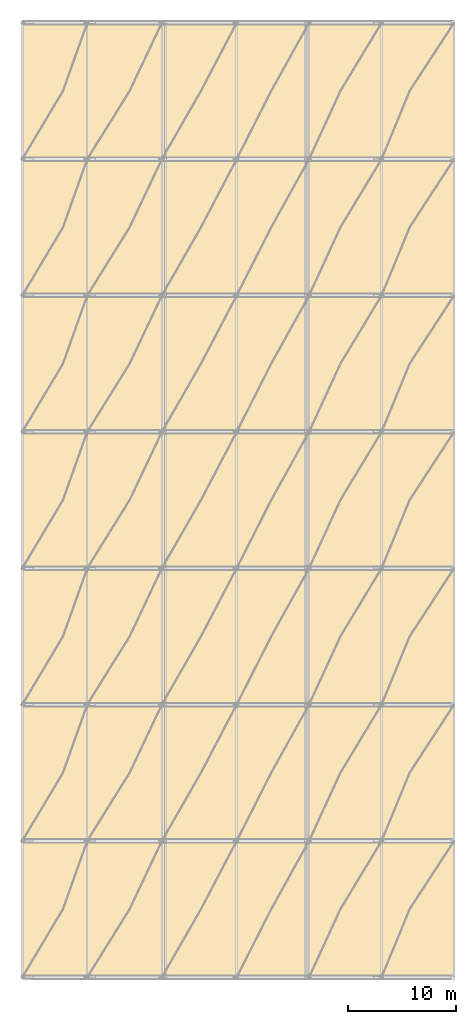
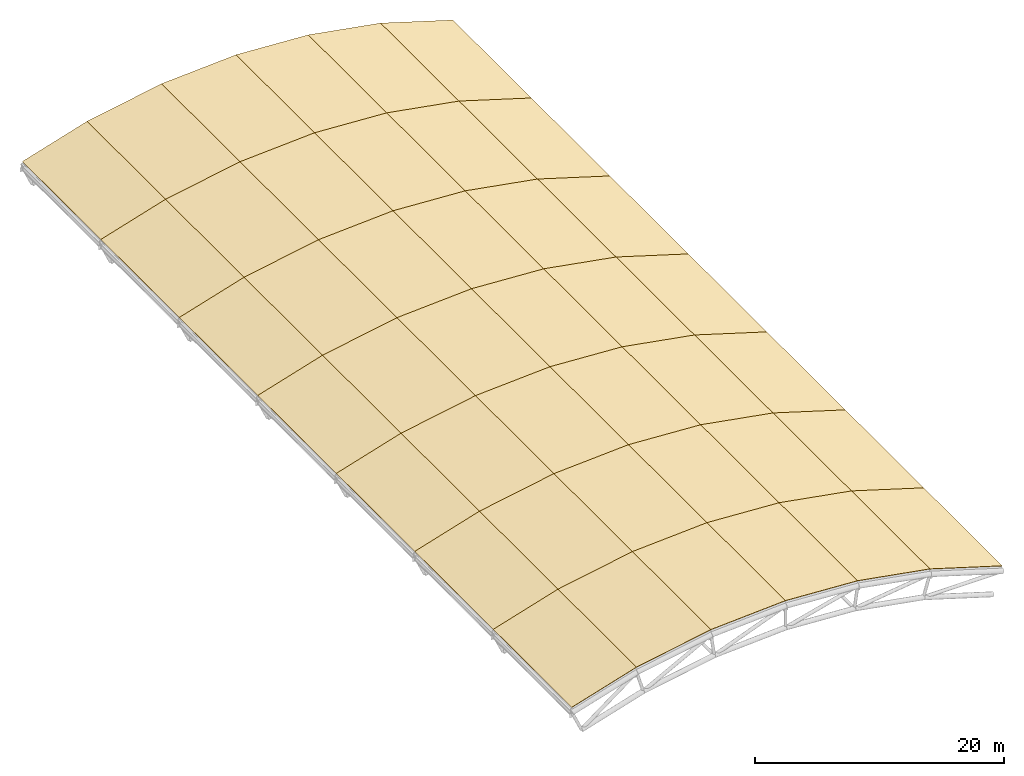
# One storey, part 18 of 18: 42 coverings, 1 element without a shape of its own.
"""IFC4 building model written with IfcOpenShell, lengths in metres."""

from ifc_helpers import new_model, si_unit, derived_unit, direction, frame, origin, place, context, subcontext, project, spatial, polyline, outline, extrude, material, layer, layer_set, type_object, element, aggregate, save


model = new_model("IFC4")

# Units and contexts
model_context = context("Model", 3, precision=1e-05, world=origin(), true_north=direction((0.0, 1.0)))
body_context = subcontext(model_context, "Body", "Model", "MODEL_VIEW")
ifc_project = project(units=[si_unit("LENGTHUNIT", "METRE"), si_unit("AREAUNIT", "SQUARE_METRE"), si_unit("VOLUMEUNIT", "CUBIC_METRE"), si_unit("PLANEANGLEUNIT", "RADIAN"), si_unit("MASSUNIT", "GRAM", prefix="KILO"), derived_unit("THERMALTRANSMITTANCEUNIT", [(si_unit("MASSUNIT", "GRAM", prefix="KILO"), 1), (si_unit("TIMEUNIT", "SECOND"), -3), (si_unit("THERMODYNAMICTEMPERATUREUNIT", "KELVIN"), -1)])], contexts=[model_context])

# Site, building, storey
site_placement = place(None, origin())
site = spatial("IfcSite", under=ifc_project, at=site_placement, CompositionType="ELEMENT")
building_placement = place(site_placement, origin())
building = spatial("IfcBuilding", under=site, at=building_placement, Name="Valcora Ridge Arena", CompositionType="ELEMENT")
storey_placement = place(building_placement, frame((0.0, 0.0, 39.800048828125)))
storey = spatial("IfcBuildingStorey", under=building, at=storey_placement, Name="RF", CompositionType="ELEMENT", Elevation=39.800048828125)

# Roof, coverings
ifc_material = material(Name="Weathered zinc-bronze standing-seam metal Grade Z275")
roof_type = type_object("IfcRoofType", Name="TY-ROOF-ROOF-SYS-V1", PredefinedType="BARREL_ROOF", material=ifc_material)
roof_placement = place(storey_placement, origin())
roof = element("IfcRoof", 1, at=roof_placement, inside=storey, type_object=roof_type, Name="Space Frame Barrel Roof ROOF-SYS-V1", PredefinedType="BARREL_ROOF")
ifc_layer = layer(ifc_material, 0.0400390625, Name="Weathered zinc-bronze standing-seam metal Grade Z275")
ifc_layer_set = layer_set([ifc_layer], Name="Weathered zinc-bronze standing-seam metal Grade Z275")
covering_type = type_object("IfcCoveringType", Name="TY-COVERING-COV-ZINC-ARC", PredefinedType="ROOFING", material=ifc_layer_set)
covering_1_placement = place(storey_placement, frame((36.0, 20.0, -1.880126953125), z_axis=(-0.292775980586, 0.0, 0.956181062975), x_axis=(0.956181062975, 0.0, 0.292775980586)))
covering_1 = element("IfcCovering", 2, at=covering_1_placement, type_object=covering_type, Name="COV-ZINC-ARC COV-RF-0003", PredefinedType="ROOFING", context=body_context, shape_type="SweptSolid", body=[
    extrude(outline(polyline([(0.0, 0.0), (6.274962172261239, 0.0), (6.274962172261239, 12.60009765625), (0.0, 12.60009765625), (0.0, 0.0)])), origin(), (0.0, 0.0, -1.0), 0.0400390625),
])
covering_2_placement = place(storey_placement, frame((42.0, 20.0, -0.04296875), z_axis=(-0.180517541089, 0.0, 0.983571765231), x_axis=(0.983571765231, 0.0, 0.180517541089)))
covering_2 = element("IfcCovering", 3, at=covering_2_placement, type_object=covering_type, Name="COV-ZINC-ARC COV-RF-0004", PredefinedType="ROOFING", context=body_context, shape_type="SweptSolid", body=[
    extrude(outline(polyline([(0.0, 0.0), (7.015148856098824, 0.0), (7.015148856098824, 12.60009765625), (0.0, 12.60009765625), (0.0, 0.0)])), origin(), (0.0, 0.0, -1.0), 0.0400390625),
])
covering_3_placement = place(storey_placement, frame((48.89990234375, 20.0, 1.223388671875), z_axis=(-0.060164976346, 0.0, 0.998188446948), x_axis=(0.998188446948, 0.0, 0.060164976346)))
covering_3 = element("IfcCovering", 4, at=covering_3_placement, type_object=covering_type, Name="COV-ZINC-ARC COV-RF-0005", PredefinedType="ROOFING", context=body_context, shape_type="SweptSolid", body=[
    extrude(outline(polyline([(0.0, 0.0), (6.92269708302592, 0.0), (6.92269708302592, 12.600097656250004), (0.0, 12.600097656250004), (0.0, 0.0)])), origin(), (0.0, 0.0, -1.0), 0.0400390625),
])
covering_4_placement = place(storey_placement, frame((55.81005859375, 20.0, 1.639892578125), z_axis=(0.058290615662, 0.0, 0.998299656479), x_axis=(0.998299656479, 0.0, -0.058290615662)))
covering_4 = element("IfcCovering", 5, at=covering_4_placement, type_object=covering_type, Name="COV-ZINC-ARC COV-RF-0006", PredefinedType="ROOFING", context=body_context, shape_type="SweptSolid", body=[
    extrude(outline(polyline([(0.0, 0.0), (6.701335979465828, 0.0), (6.701335979465828, 12.60009765625), (0.0, 12.60009765625), (0.0, 0.0)])), origin(), (0.0, 0.0, -1.0), 0.0400390625),
])
covering_5_placement = place(storey_placement, frame((62.5, 20.0, 1.249267578125), z_axis=(0.174902721284, 0.0, 0.984585719015), x_axis=(0.984585719015, 0.0, -0.174902721284)))
covering_5 = element("IfcCovering", 6, at=covering_5_placement, type_object=covering_type, Name="COV-ZINC-ARC COV-RF-0007", PredefinedType="ROOFING", context=body_context, shape_type="SweptSolid", body=[
    extrude(outline(polyline([(0.0, 0.0), (6.804842932904428, 0.0), (6.804842932904428, 12.600097656250004), (0.0, 12.600097656250004), (0.0, 0.0)])), origin(), (0.0, 0.0, -1.0), 0.0400390625),
])
covering_6_placement = place(storey_placement, frame((69.199951171875, 20.0, 0.05908203125), z_axis=(0.29169692979, 0.0, 0.956510795104), x_axis=(0.956510795104, 0.0, -0.29169692979)))
covering_6 = element("IfcCovering", 7, at=covering_6_placement, type_object=covering_type, Name="COV-ZINC-ARC COV-RF-0008", PredefinedType="ROOFING", context=body_context, shape_type="SweptSolid", body=[
    extrude(outline(polyline([(0.0, 0.0), (7.004574549672903, 0.0), (7.004574549672903, 12.60009765625), (0.0, 12.60009765625), (0.0, 0.0)])), origin(), (0.0, 0.0, -1.0), 0.0400390625),
])
covering_7_placement = place(storey_placement, frame((36.0, 32.60009765625, -1.880126953125), z_axis=(-0.292775980586, 0.0, 0.956181062975), x_axis=(0.956181062975, 0.0, 0.292775980586)))
covering_7 = element("IfcCovering", 8, at=covering_7_placement, type_object=covering_type, Name="COV-ZINC-ARC COV-RF-0017", PredefinedType="ROOFING", context=body_context, shape_type="SweptSolid", body=[
    extrude(outline(polyline([(0.0, 0.0), (6.274962172261239, 0.0), (6.274962172261239, 12.599853515625), (0.0, 12.599853515625), (0.0, 0.0)])), origin(), (0.0, 0.0, -1.0), 0.0400390625),
])
covering_8_placement = place(storey_placement, frame((42.0, 32.60009765625, -0.04296875), z_axis=(-0.180517541089, 0.0, 0.983571765231), x_axis=(0.983571765231, 0.0, 0.180517541089)))
covering_8 = element("IfcCovering", 9, at=covering_8_placement, type_object=covering_type, Name="COV-ZINC-ARC COV-RF-0018", PredefinedType="ROOFING", context=body_context, shape_type="SweptSolid", body=[
    extrude(outline(polyline([(0.0, 0.0), (7.015148856098824, 0.0), (7.015148856098824, 12.599853515625004), (0.0, 12.599853515625004), (0.0, 0.0)])), origin(), (0.0, 0.0, -1.0), 0.0400390625),
])
covering_9_placement = place(storey_placement, frame((48.89990234375, 32.60009765625, 1.223388671875), z_axis=(-0.060164976346, 0.0, 0.998188446948), x_axis=(0.998188446948, 0.0, 0.060164976346)))
covering_9 = element("IfcCovering", 10, at=covering_9_placement, type_object=covering_type, Name="COV-ZINC-ARC COV-RF-0019", PredefinedType="ROOFING", context=body_context, shape_type="SweptSolid", body=[
    extrude(outline(polyline([(0.0, 0.0), (6.92269708302592, 0.0), (6.92269708302592, 12.599853515625), (0.0, 12.599853515625), (0.0, 0.0)])), origin(), (0.0, 0.0, -1.0), 0.0400390625),
])
covering_10_placement = place(storey_placement, frame((55.81005859375, 32.60009765625, 1.639892578125), z_axis=(0.058290615662, 0.0, 0.998299656479), x_axis=(0.998299656479, 0.0, -0.058290615662)))
covering_10 = element("IfcCovering", 11, at=covering_10_placement, type_object=covering_type, Name="COV-ZINC-ARC COV-RF-0020", PredefinedType="ROOFING", context=body_context, shape_type="SweptSolid", body=[
    extrude(outline(polyline([(0.0, 0.0), (6.701335979465828, 0.0), (6.701335979465828, 12.599853515624998), (0.0, 12.599853515624998), (0.0, 0.0)])), origin(), (0.0, 0.0, -1.0), 0.0400390625),
])
covering_11_placement = place(storey_placement, frame((62.5, 32.60009765625, 1.249267578125), z_axis=(0.174902721284, 0.0, 0.984585719015), x_axis=(0.984585719015, 0.0, -0.174902721284)))
covering_11 = element("IfcCovering", 12, at=covering_11_placement, type_object=covering_type, Name="COV-ZINC-ARC COV-RF-0021", PredefinedType="ROOFING", context=body_context, shape_type="SweptSolid", body=[
    extrude(outline(polyline([(0.0, 0.0), (6.804842932904428, 0.0), (6.804842932904428, 12.599853515625004), (0.0, 12.599853515625004), (0.0, 0.0)])), origin(), (0.0, 0.0, -1.0), 0.0400390625),
])
covering_12_placement = place(storey_placement, frame((69.199951171875, 32.60009765625, 0.05908203125), z_axis=(0.29169692979, 0.0, 0.956510795104), x_axis=(0.956510795104, 0.0, -0.29169692979)))
covering_12 = element("IfcCovering", 13, at=covering_12_placement, type_object=covering_type, Name="COV-ZINC-ARC COV-RF-0022", PredefinedType="ROOFING", context=body_context, shape_type="SweptSolid", body=[
    extrude(outline(polyline([(0.0, 0.0), (7.004574549672903, 0.0), (7.004574549672903, 12.599853515625), (0.0, 12.599853515625), (0.0, 0.0)])), origin(), (0.0, 0.0, -1.0), 0.0400390625),
])
covering_13_placement = place(storey_placement, frame((36.0, 45.199951171875, -1.880126953125), z_axis=(-0.292775980586, 0.0, 0.956181062975), x_axis=(0.956181062975, 0.0, 0.292775980586)))
covering_13 = element("IfcCovering", 14, at=covering_13_placement, type_object=covering_type, Name="COV-ZINC-ARC COV-RF-0031", PredefinedType="ROOFING", context=body_context, shape_type="SweptSolid", body=[
    extrude(outline(polyline([(0.0, 0.0), (6.274962172261239, 0.0), (6.274962172261239, 12.60009765625), (0.0, 12.60009765625), (0.0, 0.0)])), origin(), (0.0, 0.0, -1.0), 0.0400390625),
])
covering_14_placement = place(storey_placement, frame((42.0, 45.199951171875, -0.04296875), z_axis=(-0.180517541089, 0.0, 0.983571765231), x_axis=(0.983571765231, 0.0, 0.180517541089)))
covering_14 = element("IfcCovering", 15, at=covering_14_placement, type_object=covering_type, Name="COV-ZINC-ARC COV-RF-0032", PredefinedType="ROOFING", context=body_context, shape_type="SweptSolid", body=[
    extrude(outline(polyline([(0.0, 0.0), (7.015148856098824, 0.0), (7.015148856098824, 12.60009765625), (0.0, 12.60009765625), (0.0, 0.0)])), origin(), (0.0, 0.0, -1.0), 0.0400390625),
])
covering_15_placement = place(storey_placement, frame((48.89990234375, 45.199951171875, 1.223388671875), z_axis=(-0.060164976346, 0.0, 0.998188446948), x_axis=(0.998188446948, 0.0, 0.060164976346)))
covering_15 = element("IfcCovering", 16, at=covering_15_placement, type_object=covering_type, Name="COV-ZINC-ARC COV-RF-0033", PredefinedType="ROOFING", context=body_context, shape_type="SweptSolid", body=[
    extrude(outline(polyline([(0.0, 0.0), (6.92269708302592, 0.0), (6.92269708302592, 12.600097656250004), (0.0, 12.600097656250004), (0.0, 0.0)])), origin(), (0.0, 0.0, -1.0), 0.0400390625),
])
covering_16_placement = place(storey_placement, frame((55.81005859375, 45.199951171875, 1.639892578125), z_axis=(0.058290615662, 0.0, 0.998299656479), x_axis=(0.998299656479, 0.0, -0.058290615662)))
covering_16 = element("IfcCovering", 17, at=covering_16_placement, type_object=covering_type, Name="COV-ZINC-ARC COV-RF-0034", PredefinedType="ROOFING", context=body_context, shape_type="SweptSolid", body=[
    extrude(outline(polyline([(0.0, 0.0), (6.701335979465828, 0.0), (6.701335979465828, 12.60009765625), (0.0, 12.60009765625), (0.0, 0.0)])), origin(), (0.0, 0.0, -1.0), 0.0400390625),
])
covering_17_placement = place(storey_placement, frame((62.5, 45.199951171875, 1.249267578125), z_axis=(0.174902721284, 0.0, 0.984585719015), x_axis=(0.984585719015, 0.0, -0.174902721284)))
covering_17 = element("IfcCovering", 18, at=covering_17_placement, type_object=covering_type, Name="COV-ZINC-ARC COV-RF-0035", PredefinedType="ROOFING", context=body_context, shape_type="SweptSolid", body=[
    extrude(outline(polyline([(0.0, 0.0), (6.804842932904428, 0.0), (6.804842932904428, 12.600097656250004), (0.0, 12.600097656250004), (0.0, 0.0)])), origin(), (0.0, 0.0, -1.0), 0.0400390625),
])
covering_18_placement = place(storey_placement, frame((69.199951171875, 45.199951171875, 0.05908203125), z_axis=(0.29169692979, 0.0, 0.956510795104), x_axis=(0.956510795104, 0.0, -0.29169692979)))
covering_18 = element("IfcCovering", 19, at=covering_18_placement, type_object=covering_type, Name="COV-ZINC-ARC COV-RF-0036", PredefinedType="ROOFING", context=body_context, shape_type="SweptSolid", body=[
    extrude(outline(polyline([(0.0, 0.0), (7.004574549672903, 0.0), (7.004574549672903, 12.60009765625), (0.0, 12.60009765625), (0.0, 0.0)])), origin(), (0.0, 0.0, -1.0), 0.0400390625),
])
covering_19_placement = place(storey_placement, frame((36.0, 57.800048828125, -1.880126953125), z_axis=(-0.292775980586, 0.0, 0.956181062975), x_axis=(0.956181062975, 0.0, 0.292775980586)))
covering_19 = element("IfcCovering", 20, at=covering_19_placement, type_object=covering_type, Name="COV-ZINC-ARC COV-RF-0045", PredefinedType="ROOFING", context=body_context, shape_type="SweptSolid", body=[
    extrude(outline(polyline([(0.0, 0.0), (6.274962172261239, 0.0), (6.274962172261239, 12.599853515625), (0.0, 12.599853515625), (0.0, 0.0)])), origin(), (0.0, 0.0, -1.0), 0.0400390625),
])
covering_20_placement = place(storey_placement, frame((42.0, 57.800048828125, -0.04296875), z_axis=(-0.180517541089, 0.0, 0.983571765231), x_axis=(0.983571765231, 0.0, 0.180517541089)))
covering_20 = element("IfcCovering", 21, at=covering_20_placement, type_object=covering_type, Name="COV-ZINC-ARC COV-RF-0046", PredefinedType="ROOFING", context=body_context, shape_type="SweptSolid", body=[
    extrude(outline(polyline([(0.0, 0.0), (7.015148856098824, 0.0), (7.015148856098824, 12.599853515625004), (0.0, 12.599853515625004), (0.0, 0.0)])), origin(), (0.0, 0.0, -1.0), 0.0400390625),
])
covering_21_placement = place(storey_placement, frame((48.89990234375, 57.800048828125, 1.223388671875), z_axis=(-0.060164976346, 0.0, 0.998188446948), x_axis=(0.998188446948, 0.0, 0.060164976346)))
covering_21 = element("IfcCovering", 22, at=covering_21_placement, type_object=covering_type, Name="COV-ZINC-ARC COV-RF-0047", PredefinedType="ROOFING", context=body_context, shape_type="SweptSolid", body=[
    extrude(outline(polyline([(0.0, 0.0), (6.92269708302592, 0.0), (6.92269708302592, 12.599853515625), (0.0, 12.599853515625), (0.0, 0.0)])), origin(), (0.0, 0.0, -1.0), 0.0400390625),
])
covering_22_placement = place(storey_placement, frame((55.81005859375, 57.800048828125, 1.639892578125), z_axis=(0.058290615662, 0.0, 0.998299656479), x_axis=(0.998299656479, 0.0, -0.058290615662)))
covering_22 = element("IfcCovering", 23, at=covering_22_placement, type_object=covering_type, Name="COV-ZINC-ARC COV-RF-0048", PredefinedType="ROOFING", context=body_context, shape_type="SweptSolid", body=[
    extrude(outline(polyline([(0.0, 0.0), (6.701335979465828, 0.0), (6.701335979465828, 12.599853515624998), (0.0, 12.599853515624998), (0.0, 0.0)])), origin(), (0.0, 0.0, -1.0), 0.0400390625),
])
covering_23_placement = place(storey_placement, frame((62.5, 57.800048828125, 1.249267578125), z_axis=(0.174902721284, 0.0, 0.984585719015), x_axis=(0.984585719015, 0.0, -0.174902721284)))
covering_23 = element("IfcCovering", 24, at=covering_23_placement, type_object=covering_type, Name="COV-ZINC-ARC COV-RF-0049", PredefinedType="ROOFING", context=body_context, shape_type="SweptSolid", body=[
    extrude(outline(polyline([(0.0, 0.0), (6.804842932904428, 0.0), (6.804842932904428, 12.599853515625004), (0.0, 12.599853515625004), (0.0, 0.0)])), origin(), (0.0, 0.0, -1.0), 0.0400390625),
])
covering_24_placement = place(storey_placement, frame((69.199951171875, 57.800048828125, 0.05908203125), z_axis=(0.29169692979, 0.0, 0.956510795104), x_axis=(0.956510795104, 0.0, -0.29169692979)))
covering_24 = element("IfcCovering", 25, at=covering_24_placement, type_object=covering_type, Name="COV-ZINC-ARC COV-RF-0050", PredefinedType="ROOFING", context=body_context, shape_type="SweptSolid", body=[
    extrude(outline(polyline([(0.0, 0.0), (7.004574549672903, 0.0), (7.004574549672903, 12.599853515625), (0.0, 12.599853515625), (0.0, 0.0)])), origin(), (0.0, 0.0, -1.0), 0.0400390625),
])
covering_25_placement = place(storey_placement, frame((36.0, 70.39990234375, -1.880126953125), z_axis=(-0.292775980586, 0.0, 0.956181062975), x_axis=(0.956181062975, 0.0, 0.292775980586)))
covering_25 = element("IfcCovering", 26, at=covering_25_placement, type_object=covering_type, Name="COV-ZINC-ARC COV-RF-0059", PredefinedType="ROOFING", context=body_context, shape_type="SweptSolid", body=[
    extrude(outline(polyline([(0.0, 0.0), (6.274962172261239, 0.0), (6.274962172261239, 12.60009765625), (0.0, 12.60009765625), (0.0, 0.0)])), origin(), (0.0, 0.0, -1.0), 0.0400390625),
])
covering_26_placement = place(storey_placement, frame((42.0, 70.39990234375, -0.04296875), z_axis=(-0.180517541089, 0.0, 0.983571765231), x_axis=(0.983571765231, 0.0, 0.180517541089)))
covering_26 = element("IfcCovering", 27, at=covering_26_placement, type_object=covering_type, Name="COV-ZINC-ARC COV-RF-0060", PredefinedType="ROOFING", context=body_context, shape_type="SweptSolid", body=[
    extrude(outline(polyline([(0.0, 0.0), (7.015148856098824, 0.0), (7.015148856098824, 12.60009765625), (0.0, 12.60009765625), (0.0, 0.0)])), origin(), (0.0, 0.0, -1.0), 0.0400390625),
])
covering_27_placement = place(storey_placement, frame((48.89990234375, 70.39990234375, 1.223388671875), z_axis=(-0.060164976346, 0.0, 0.998188446948), x_axis=(0.998188446948, 0.0, 0.060164976346)))
covering_27 = element("IfcCovering", 28, at=covering_27_placement, type_object=covering_type, Name="COV-ZINC-ARC COV-RF-0061", PredefinedType="ROOFING", context=body_context, shape_type="SweptSolid", body=[
    extrude(outline(polyline([(0.0, 0.0), (6.92269708302592, 0.0), (6.92269708302592, 12.600097656250004), (0.0, 12.600097656250004), (0.0, 0.0)])), origin(), (0.0, 0.0, -1.0), 0.0400390625),
])
covering_28_placement = place(storey_placement, frame((55.81005859375, 70.39990234375, 1.639892578125), z_axis=(0.058290615662, 0.0, 0.998299656479), x_axis=(0.998299656479, 0.0, -0.058290615662)))
covering_28 = element("IfcCovering", 29, at=covering_28_placement, type_object=covering_type, Name="COV-ZINC-ARC COV-RF-0062", PredefinedType="ROOFING", context=body_context, shape_type="SweptSolid", body=[
    extrude(outline(polyline([(0.0, 0.0), (6.701335979465828, 0.0), (6.701335979465828, 12.60009765625), (0.0, 12.60009765625), (0.0, 0.0)])), origin(), (0.0, 0.0, -1.0), 0.0400390625),
])
covering_29_placement = place(storey_placement, frame((62.5, 70.39990234375, 1.249267578125), z_axis=(0.174902721284, 0.0, 0.984585719015), x_axis=(0.984585719015, 0.0, -0.174902721284)))
covering_29 = element("IfcCovering", 30, at=covering_29_placement, type_object=covering_type, Name="COV-ZINC-ARC COV-RF-0063", PredefinedType="ROOFING", context=body_context, shape_type="SweptSolid", body=[
    extrude(outline(polyline([(0.0, 0.0), (6.804842932904428, 0.0), (6.804842932904428, 12.600097656250004), (0.0, 12.600097656250004), (0.0, 0.0)])), origin(), (0.0, 0.0, -1.0), 0.0400390625),
])
covering_30_placement = place(storey_placement, frame((69.199951171875, 70.39990234375, 0.05908203125), z_axis=(0.29169692979, 0.0, 0.956510795104), x_axis=(0.956510795104, 0.0, -0.29169692979)))
covering_30 = element("IfcCovering", 31, at=covering_30_placement, type_object=covering_type, Name="COV-ZINC-ARC COV-RF-0064", PredefinedType="ROOFING", context=body_context, shape_type="SweptSolid", body=[
    extrude(outline(polyline([(0.0, 0.0), (7.004574549672903, 0.0), (7.004574549672903, 12.60009765625), (0.0, 12.60009765625), (0.0, 0.0)])), origin(), (0.0, 0.0, -1.0), 0.0400390625),
])
covering_31_placement = place(storey_placement, frame((36.0, 83.0, -1.880126953125), z_axis=(-0.292775980586, 0.0, 0.956181062975), x_axis=(0.956181062975, 0.0, 0.292775980586)))
covering_31 = element("IfcCovering", 32, at=covering_31_placement, type_object=covering_type, Name="COV-ZINC-ARC COV-RF-0073", PredefinedType="ROOFING", context=body_context, shape_type="SweptSolid", body=[
    extrude(outline(polyline([(0.0, 0.0), (6.274962172261239, 0.0), (6.274962172261239, 12.60009765625), (0.0, 12.60009765625), (0.0, 0.0)])), origin(), (0.0, 0.0, -1.0), 0.0400390625),
])
covering_32_placement = place(storey_placement, frame((42.0, 83.0, -0.04296875), z_axis=(-0.180517541089, 0.0, 0.983571765231), x_axis=(0.983571765231, 0.0, 0.180517541089)))
covering_32 = element("IfcCovering", 33, at=covering_32_placement, type_object=covering_type, Name="COV-ZINC-ARC COV-RF-0074", PredefinedType="ROOFING", context=body_context, shape_type="SweptSolid", body=[
    extrude(outline(polyline([(0.0, 0.0), (7.015148856098824, 0.0), (7.015148856098824, 12.60009765625), (0.0, 12.60009765625), (0.0, 0.0)])), origin(), (0.0, 0.0, -1.0), 0.0400390625),
])
covering_33_placement = place(storey_placement, frame((48.89990234375, 83.0, 1.223388671875), z_axis=(-0.060164976346, 0.0, 0.998188446948), x_axis=(0.998188446948, 0.0, 0.060164976346)))
covering_33 = element("IfcCovering", 34, at=covering_33_placement, type_object=covering_type, Name="COV-ZINC-ARC COV-RF-0075", PredefinedType="ROOFING", context=body_context, shape_type="SweptSolid", body=[
    extrude(outline(polyline([(0.0, 0.0), (6.92269708302592, 0.0), (6.92269708302592, 12.600097656250004), (0.0, 12.600097656250004), (0.0, 0.0)])), origin(), (0.0, 0.0, -1.0), 0.0400390625),
])
covering_34_placement = place(storey_placement, frame((55.81005859375, 83.0, 1.639892578125), z_axis=(0.058290615662, 0.0, 0.998299656479), x_axis=(0.998299656479, 0.0, -0.058290615662)))
covering_34 = element("IfcCovering", 35, at=covering_34_placement, type_object=covering_type, Name="COV-ZINC-ARC COV-RF-0076", PredefinedType="ROOFING", context=body_context, shape_type="SweptSolid", body=[
    extrude(outline(polyline([(0.0, 0.0), (6.701335979465828, 0.0), (6.701335979465828, 12.60009765625), (0.0, 12.60009765625), (0.0, 0.0)])), origin(), (0.0, 0.0, -1.0), 0.0400390625),
])
covering_35_placement = place(storey_placement, frame((62.5, 83.0, 1.249267578125), z_axis=(0.174902721284, 0.0, 0.984585719015), x_axis=(0.984585719015, 0.0, -0.174902721284)))
covering_35 = element("IfcCovering", 36, at=covering_35_placement, type_object=covering_type, Name="COV-ZINC-ARC COV-RF-0077", PredefinedType="ROOFING", context=body_context, shape_type="SweptSolid", body=[
    extrude(outline(polyline([(0.0, 0.0), (6.804842932904428, 0.0), (6.804842932904428, 12.600097656250004), (0.0, 12.600097656250004), (0.0, 0.0)])), origin(), (0.0, 0.0, -1.0), 0.0400390625),
])
covering_36_placement = place(storey_placement, frame((69.199951171875, 83.0, 0.05908203125), z_axis=(0.29169692979, 0.0, 0.956510795104), x_axis=(0.956510795104, 0.0, -0.29169692979)))
covering_36 = element("IfcCovering", 37, at=covering_36_placement, type_object=covering_type, Name="COV-ZINC-ARC COV-RF-0078", PredefinedType="ROOFING", context=body_context, shape_type="SweptSolid", body=[
    extrude(outline(polyline([(0.0, 0.0), (7.004574549672903, 0.0), (7.004574549672903, 12.60009765625), (0.0, 12.60009765625), (0.0, 0.0)])), origin(), (0.0, 0.0, -1.0), 0.0400390625),
])
covering_37_placement = place(storey_placement, frame((36.0, 95.60009765625, -1.880126953125), z_axis=(-0.292775980586, 0.0, 0.956181062975), x_axis=(0.956181062975, 0.0, 0.292775980586)))
covering_37 = element("IfcCovering", 38, at=covering_37_placement, type_object=covering_type, Name="COV-ZINC-ARC COV-RF-0087", PredefinedType="ROOFING", context=body_context, shape_type="SweptSolid", body=[
    extrude(outline(polyline([(0.0, 0.0), (6.274962172261239, 0.0), (6.274962172261239, 12.599853515625), (0.0, 12.599853515625), (0.0, 0.0)])), origin(), (0.0, 0.0, -1.0), 0.0400390625),
])
covering_38_placement = place(storey_placement, frame((42.0, 95.60009765625, -0.04296875), z_axis=(-0.180517541089, 0.0, 0.983571765231), x_axis=(0.983571765231, 0.0, 0.180517541089)))
covering_38 = element("IfcCovering", 39, at=covering_38_placement, type_object=covering_type, Name="COV-ZINC-ARC COV-RF-0088", PredefinedType="ROOFING", context=body_context, shape_type="SweptSolid", body=[
    extrude(outline(polyline([(0.0, 0.0), (7.015148856098824, 0.0), (7.015148856098824, 12.599853515625004), (0.0, 12.599853515625004), (0.0, 0.0)])), origin(), (0.0, 0.0, -1.0), 0.0400390625),
])
covering_39_placement = place(storey_placement, frame((48.89990234375, 95.60009765625, 1.223388671875), z_axis=(-0.060164976346, 0.0, 0.998188446948), x_axis=(0.998188446948, 0.0, 0.060164976346)))
covering_39 = element("IfcCovering", 40, at=covering_39_placement, type_object=covering_type, Name="COV-ZINC-ARC COV-RF-0089", PredefinedType="ROOFING", context=body_context, shape_type="SweptSolid", body=[
    extrude(outline(polyline([(0.0, 0.0), (6.92269708302592, 0.0), (6.92269708302592, 12.599853515625), (0.0, 12.599853515625), (0.0, 0.0)])), origin(), (0.0, 0.0, -1.0), 0.0400390625),
])
covering_40_placement = place(storey_placement, frame((55.81005859375, 95.60009765625, 1.639892578125), z_axis=(0.058290615662, 0.0, 0.998299656479), x_axis=(0.998299656479, 0.0, -0.058290615662)))
covering_40 = element("IfcCovering", 41, at=covering_40_placement, type_object=covering_type, Name="COV-ZINC-ARC COV-RF-0090", PredefinedType="ROOFING", context=body_context, shape_type="SweptSolid", body=[
    extrude(outline(polyline([(0.0, 0.0), (6.701335979465828, 0.0), (6.701335979465828, 12.599853515624998), (0.0, 12.599853515624998), (0.0, 0.0)])), origin(), (0.0, 0.0, -1.0), 0.0400390625),
])
covering_41_placement = place(storey_placement, frame((62.5, 95.60009765625, 1.249267578125), z_axis=(0.174902721284, 0.0, 0.984585719015), x_axis=(0.984585719015, 0.0, -0.174902721284)))
covering_41 = element("IfcCovering", 42, at=covering_41_placement, type_object=covering_type, Name="COV-ZINC-ARC COV-RF-0091", PredefinedType="ROOFING", context=body_context, shape_type="SweptSolid", body=[
    extrude(outline(polyline([(0.0, 0.0), (6.804842932904428, 0.0), (6.804842932904428, 12.599853515625004), (0.0, 12.599853515625004), (0.0, 0.0)])), origin(), (0.0, 0.0, -1.0), 0.0400390625),
])
covering_42_placement = place(storey_placement, frame((69.199951171875, 95.60009765625, 0.05908203125), z_axis=(0.29169692979, 0.0, 0.956510795104), x_axis=(0.956510795104, 0.0, -0.29169692979)))
covering_42 = element("IfcCovering", 43, at=covering_42_placement, type_object=covering_type, Name="COV-ZINC-ARC COV-RF-0092", PredefinedType="ROOFING", context=body_context, shape_type="SweptSolid", body=[
    extrude(outline(polyline([(0.0, 0.0), (7.004574549672903, 0.0), (7.004574549672903, 12.599853515625), (0.0, 12.599853515625), (0.0, 0.0)])), origin(), (0.0, 0.0, -1.0), 0.0400390625),
])
aggregate(roof, [covering_1, covering_2, covering_3, covering_4, covering_5, covering_6, covering_7, covering_8, covering_9, covering_10, covering_11, covering_12, covering_13, covering_14, covering_15, covering_16, covering_17, covering_18, covering_19, covering_20, covering_21, covering_22, covering_23, covering_24, covering_25, covering_26, covering_27, covering_28, covering_29, covering_30, covering_31, covering_32, covering_33, covering_34, covering_35, covering_36, covering_37, covering_38, covering_39, covering_40, covering_41, covering_42])

save(model, "model.ifc")
